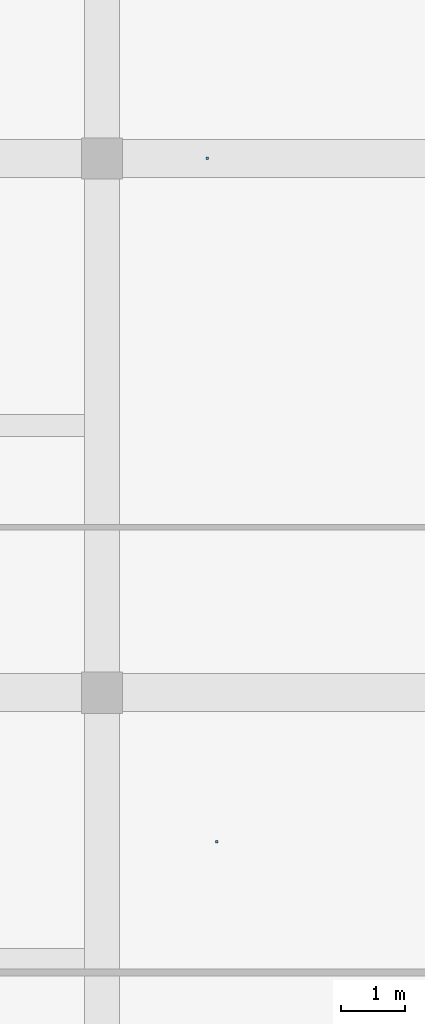
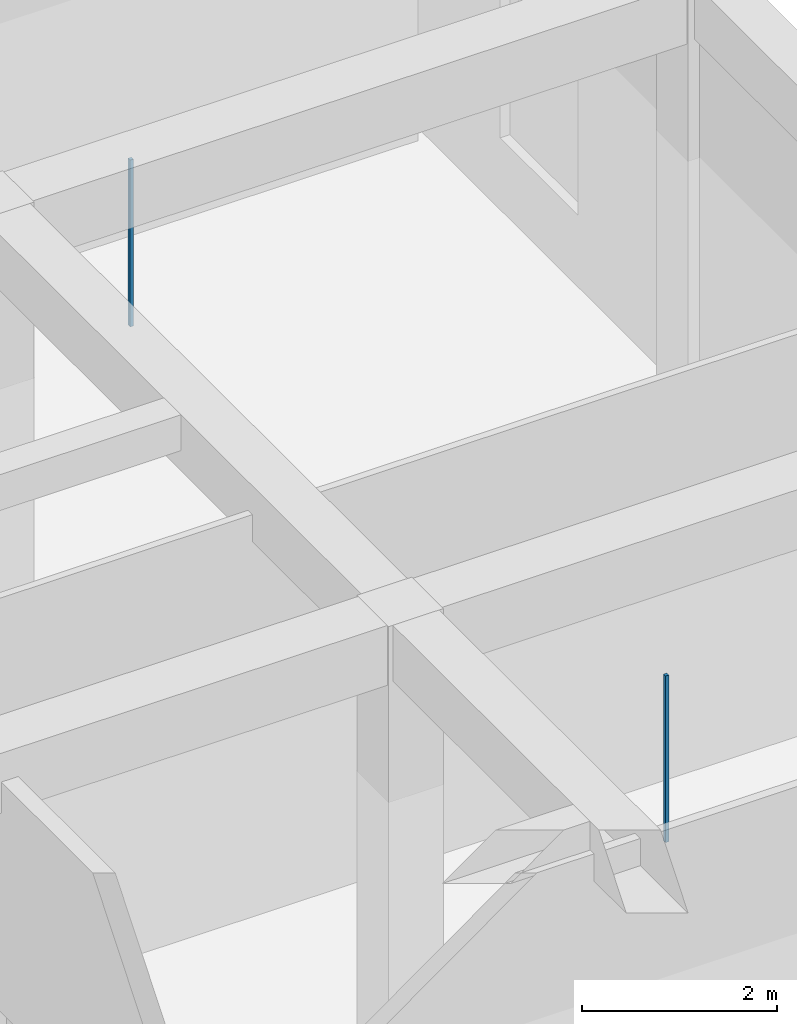
# One storey, part 128 of 167: 2 discrete accessories.
"""IFC4 building model written with IfcOpenShell, lengths in metres."""

from ifc_helpers import new_model, si_unit, direction, frame, origin, origin_2d, place, context, subcontext, project, spatial, rectangle, extrude, material, type_object, element, save


model = new_model("IFC4")

# Units and contexts
model_context = context("Model", 3, precision=1e-05, world=origin(), true_north=direction((0.0, 1.0)))
body_context = subcontext(model_context, "Body", "Model", "MODEL_VIEW")
ifc_project = project(units=[si_unit("LENGTHUNIT", "METRE"), si_unit("AREAUNIT", "SQUARE_METRE"), si_unit("VOLUMEUNIT", "CUBIC_METRE"), si_unit("PLANEANGLEUNIT", "RADIAN"), si_unit("MASSUNIT", "GRAM", prefix="KILO")], contexts=[model_context])

# Site, building, storey
site_placement = place(None, origin())
site = spatial("IfcSite", under=ifc_project, at=site_placement, CompositionType="ELEMENT")
building_placement = place(site_placement, origin())
building = spatial("IfcBuilding", under=site, at=building_placement, Name="Varncliffe General Hospital", CompositionType="ELEMENT")
storey_placement = place(building_placement, origin())
storey = spatial("IfcBuildingStorey", under=building, at=storey_placement, Name="L00", CompositionType="ELEMENT", Elevation=0.0)

# Discrete accessories
ifc_material = material(Name="Powder-coated hospital steel guardrail and handrail", Category="steel")
discrete_accessory_type = type_object("IfcDiscreteAccessoryType", Name="Suspended Ceiling Hanger Bracket CH01", PredefinedType="BRACKET", material=ifc_material)
for number, where, z_axis, x_axis, name in (
    (1, (169.800048828125, 30.0576171875, 3.18994140625), (0.0, 0.0, 1.0), (1.0, 0.0, 0.0), "L00 Suspended Ceiling Hanger 73"),
    (2, (169.657470703125, 40.800048828125, 3.18994140625), (0.0, 0.0, 1.0), (1.0, 0.0, 0.0), "L00 Suspended Ceiling Hanger 74"),
):
    element("IfcDiscreteAccessory", number, at=place(storey_placement, frame(where, z_axis=z_axis, x_axis=x_axis)), inside=storey, type_object=discrete_accessory_type, Name=name, PredefinedType="BRACKET", context=body_context, shape_type="SweptSolid", body=[
        extrude(rectangle(XDim=0.0400390625, YDim=0.0400390625, at=origin_2d()), origin(), (0.0, 0.0, 1.0), 2.090087890625),
    ])

save(model, "model.ifc")
